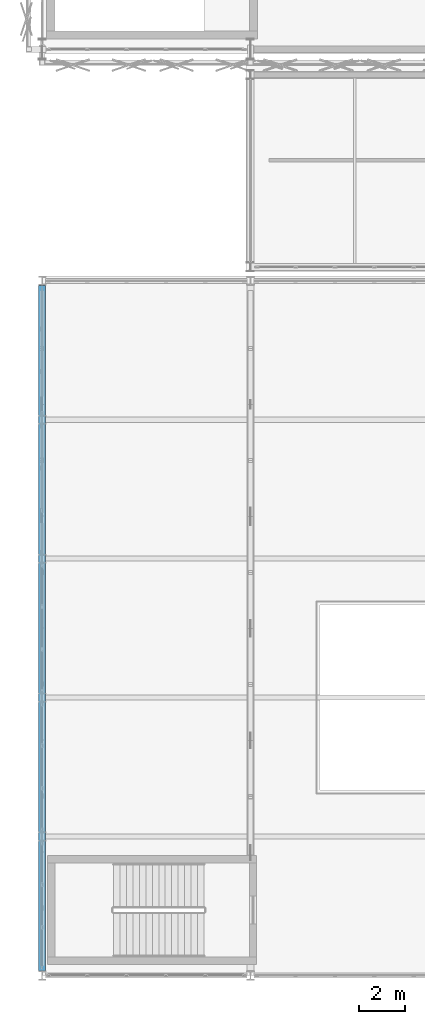
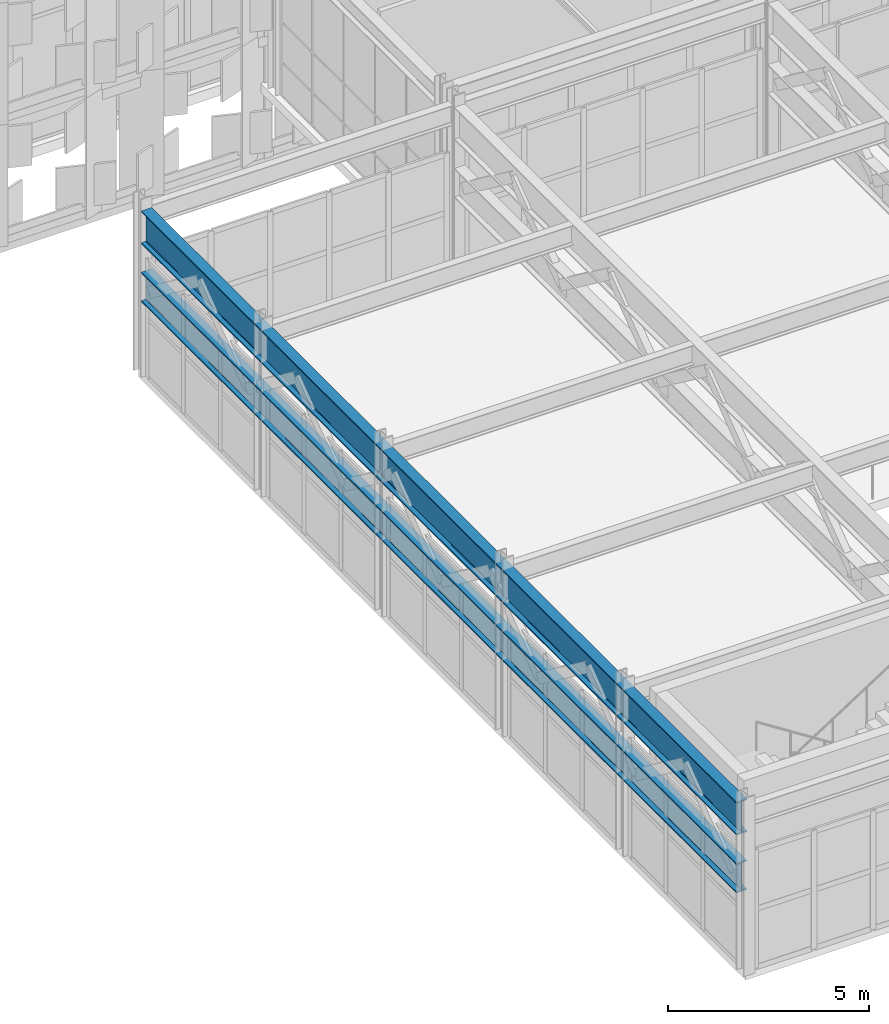
# One storey, part 23 of 210: 2 beams.
"""IFC4 building model written with IfcOpenShell, lengths in metres."""

from ifc_helpers import new_model, si_unit, direction, frame, origin, origin_2d, place, context, subcontext, project, spatial, i_section, extrude, material, material_profile, profile_set, type_object, element, save


model = new_model("IFC4")

# Units and contexts
model_context = context("Model", 3, precision=1e-05, world=origin(), true_north=direction((0.0, 1.0)))
body_context = subcontext(model_context, "Body", "Model", "MODEL_VIEW")
ifc_project = project(units=[si_unit("LENGTHUNIT", "METRE"), si_unit("AREAUNIT", "SQUARE_METRE"), si_unit("VOLUMEUNIT", "CUBIC_METRE"), si_unit("PLANEANGLEUNIT", "RADIAN"), si_unit("MASSUNIT", "GRAM", prefix="KILO")], contexts=[model_context])

# Site, building, storey
site_placement = place(None, origin())
site = spatial("IfcSite", under=ifc_project, at=site_placement, CompositionType="ELEMENT")
building_placement = place(site_placement, origin())
building = spatial("IfcBuilding", under=site, at=building_placement, Name="Kaldris Quays Convention Centre", CompositionType="ELEMENT")
storey_placement = place(building_placement, frame((0.0, 0.0, 6.0)))
storey = spatial("IfcBuildingStorey", under=building, at=storey_placement, Name="L01", CompositionType="ELEMENT", Elevation=6.0)

# Beams
ifc_material_1 = material(Name="Steel S460ML", Category="steel")
ifc_material_profile_1 = material_profile(ifc_material_1, i_section(OverallWidth=0.300048828125, OverallDepth=1.0, WebThickness=0.01904296875, FlangeThickness=0.035888671875, FilletRadius=0.030029296875, at=origin_2d()), Name="HEB 1000")
ifc_profile_set_1 = profile_set([ifc_material_profile_1], Name="Steel S460ML")
beam_type_1 = type_object("IfcBeamType", Name="STRUCTURAL BEAM BM01", PredefinedType="BEAM", material=ifc_profile_set_1)
beam_1_placement = place(storey_placement, frame((20.0, 16.19140625, 4.55810546875), z_axis=(0.0, 1.0, 0.0), x_axis=(-1.0, 0.0, 0.0)))
element("IfcBeam", 1, at=beam_1_placement, inside=storey, type_object=beam_type_1, Name="Transfer Truss TT01 Top Chord", PredefinedType="BEAM", context=body_context, shape_type="SweptSolid", body=[
    extrude(i_section(OverallWidth=0.300048828125, OverallDepth=1.0, WebThickness=0.01904296875, FlangeThickness=0.035888671875, FilletRadius=0.030029296875, at=origin_2d()), origin(), (0.0, 0.0, 1.0), 29.6171875),
])
ifc_material_2 = material(Name="Steel S355J2", Category="steel")
ifc_material_profile_2 = material_profile(ifc_material_2, i_section(OverallWidth=0.300048828125, OverallDepth=0.89990234375, WebThickness=0.0185546875, FlangeThickness=0.034912109375, FilletRadius=0.030029296875, at=origin_2d()), Name="HEB 900")
ifc_profile_set_2 = profile_set([ifc_material_profile_2], Name="Steel S355J2")
beam_type_2 = type_object("IfcBeamType", Name="STRUCTURAL BEAM BM02", PredefinedType="BEAM", material=ifc_profile_set_2)
beam_2_placement = place(storey_placement, frame((20.0, 16.19140625, 2.75), z_axis=(0.0, 1.0, 0.0), x_axis=(-1.0, 0.0, 0.0)))
element("IfcBeam", 2, at=beam_2_placement, inside=storey, type_object=beam_type_2, Name="Transfer Truss TT01 Bottom Chord", PredefinedType="BEAM", context=body_context, shape_type="SweptSolid", body=[
    extrude(i_section(OverallWidth=0.300048828125, OverallDepth=0.89990234375, WebThickness=0.0185546875, FlangeThickness=0.034912109375, FilletRadius=0.030029296875, at=origin_2d()), origin(), (0.0, 0.0, 1.0), 29.6171875),
])

save(model, "model.ifc")
